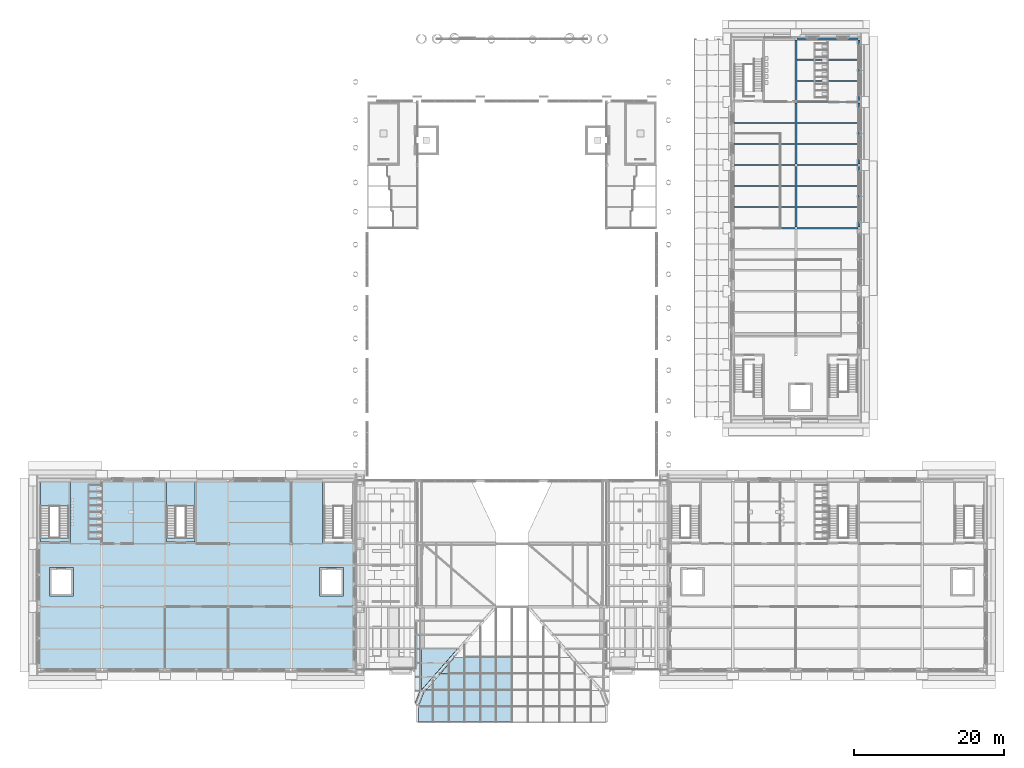
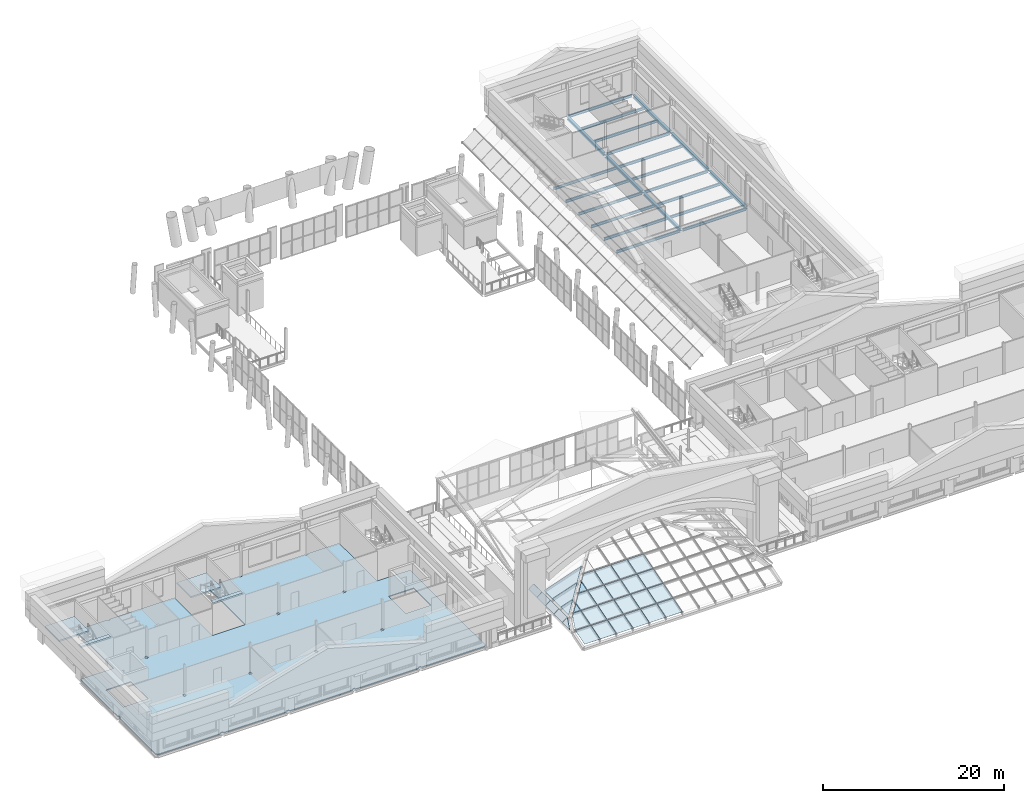
# One storey, part 33 of 76: 23 plates, 22 beams, 13 slabs, 2 elements without a shape of their own.
"""IFC4 building model written with IfcOpenShell, lengths in metres."""

import ifcopenshell
import ifcopenshell.guid

model = None  # the IFC model being written
_history = None  # IfcOwnerHistory: only IFC2X3 demands one
_inside = {}  # id of a spatial element -> (the spatial element, [elements in it])
_under = {}  # id of a project, library or spatial element -> (it, [spatial elements below it])
_declared = {}  # id of a project -> (the project, [libraries it declares])
_typed = {}  # id of a type object -> (the type object, [elements of that type])
_made_of = {}  # id of a material, layer set ... -> (it, [elements and type objects made of it])


def new_model(schema):
    """Start an empty IFC model of exactly this schema.

    Asked for "IFC4X3", IfcOpenShell would pick the latest addendum, in which some entities
    have other attributes; the version numbers below select the first issue.
    IFC2X3 requires an IfcOwnerHistory on every rooted entity: one is made here for all.
    """
    global model, _history
    if schema == "IFC4X3":
        model = ifcopenshell.file(schema_version=(4, 3, 0, 0))
    else:
        model = ifcopenshell.file(schema=schema)
    _inside.clear()
    _under.clear()
    _declared.clear()
    _typed.clear()
    _made_of.clear()
    _history = None
    if model.schema == "IFC2X3":
        org = make("IfcOrganization", Name="unknown")
        user = make(
            "IfcPersonAndOrganization",
            ThePerson=make("IfcPerson", FamilyName="unknown"),
            TheOrganization=org,
        )
        app = make(
            "IfcApplication",
            ApplicationDeveloper=org,
            Version="unknown",
            ApplicationFullName="unknown",
            ApplicationIdentifier="unknown",
        )
        _history = make(
            "IfcOwnerHistory",
            OwningUser=user,
            OwningApplication=app,
            ChangeAction="ADDED",
            CreationDate=0,
        )
    return model


def make(cls, **values):
    """One entity of the class cls with the attributes given. An attribute that is None is left unset."""
    return model.create_entity(
        cls, **{name: value for name, value in values.items() if value is not None}
    )


def rooted(cls, **values):
    """An entity with a GlobalId (a new one), such as an element, a storey or a relation."""
    return make(cls, GlobalId=ifcopenshell.guid.new(), OwnerHistory=_history, **values)


def si_unit(unit_type, name, prefix=None):
    """IfcSIUnit, for example si_unit("LENGTHUNIT", "METRE", prefix="MILLI")."""
    return make("IfcSIUnit", UnitType=unit_type, Prefix=prefix, Name=name)


def assignment(units):
    """IfcUnitAssignment: the units of a project."""
    return None if units is None else make("IfcUnitAssignment", Units=units)


def point(xyz):
    """IfcCartesianPoint."""
    return None if xyz is None else make("IfcCartesianPoint", Coordinates=xyz)


def direction(xyz):
    """IfcDirection."""
    return None if xyz is None else make("IfcDirection", DirectionRatios=xyz)


def frame(location, z_axis=None, x_axis=None):
    """IfcAxis2Placement3D, a coordinate frame: its origin and axes. An axis left out is left unset."""
    return make(
        "IfcAxis2Placement3D",
        Location=point(location),
        Axis=direction(z_axis),
        RefDirection=direction(x_axis),
    )


def frame_2d(location, x_axis=None):
    """IfcAxis2Placement2D, a coordinate frame in the plane: its origin and x axis."""
    return make(
        "IfcAxis2Placement2D", Location=point(location), RefDirection=direction(x_axis)
    )


def origin():
    """The frame at (0, 0, 0) with its axes left unset."""
    return frame((0.0, 0.0, 0.0))


def origin_2d():
    """The frame at (0, 0) in the plane with its x axis left unset."""
    return frame_2d((0.0, 0.0))


def place(relative_to, where):
    """IfcLocalPlacement: puts the frame where relative to a parent placement (None: the world)."""
    return make(
        "IfcLocalPlacement", PlacementRelTo=relative_to, RelativePlacement=where
    )


def context(
    kind, dimensions, precision=None, world=None, true_north=None, identifier=None
):
    """IfcGeometricRepresentationContext, for example the 3D "Model" context."""
    return make(
        "IfcGeometricRepresentationContext",
        ContextIdentifier=identifier,
        ContextType=kind,
        CoordinateSpaceDimension=dimensions,
        Precision=precision,
        WorldCoordinateSystem=world,
        TrueNorth=true_north,
    )


def subcontext(parent, identifier, kind, view, scale=None):
    """IfcGeometricRepresentationSubContext, for example "Body" below "Model"."""
    return make(
        "IfcGeometricRepresentationSubContext",
        ContextIdentifier=identifier,
        ContextType=kind,
        ParentContext=parent,
        TargetScale=scale,
        TargetView=view,
    )


def project(units=None, contexts=None):
    """IfcProject with its units and contexts."""
    return rooted(
        "IfcProject",
        Name="project",
        RepresentationContexts=contexts,
        UnitsInContext=assignment(units),
    )


def spatial(cls, under=None, at=None, **own):
    """A site, building, storey or space (cls), placed at a placement, below another one or the project."""
    s = rooted(cls, ObjectPlacement=at, **own)
    if under is not None:
        _under.setdefault(under.id(), (under, []))[1].append(s)
    return s


def polyline(points):
    """IfcPolyline through the points."""
    return make("IfcPolyline", Points=[point(p) for p in points])


def profile(cls, at=None, kind="AREA", **sizes):
    """A parametric profile (cls). Its sizes go by their IFC names, for example OverallWidth=200.0."""
    return make(cls, ProfileType=kind, Position=at, **sizes)


def i_section(**sizes):
    """IfcIShapeProfileDef."""
    return profile("IfcIShapeProfileDef", **sizes)


def outline(outer, holes=None, kind="AREA"):
    """IfcArbitraryClosedProfileDef: a profile drawn as a closed curve; with holes, ...WithVoids."""
    if holes is None:
        return make("IfcArbitraryClosedProfileDef", ProfileType=kind, OuterCurve=outer)
    return make(
        "IfcArbitraryProfileDefWithVoids",
        ProfileType=kind,
        OuterCurve=outer,
        InnerCurves=holes,
    )


def extrude(swept, where, along, depth):
    """IfcExtrudedAreaSolid: the profile swept, set in the frame where, extruded along a direction by depth."""
    return make(
        "IfcExtrudedAreaSolid",
        SweptArea=swept,
        Position=where,
        ExtrudedDirection=direction(along),
        Depth=depth,
    )


def shape(context_of_items, identifier, shape_type, items):
    """IfcShapeRepresentation: the items that make up one representation, for example the "Body"."""
    return make(
        "IfcShapeRepresentation",
        ContextOfItems=context_of_items,
        RepresentationIdentifier=identifier,
        RepresentationType=shape_type,
        Items=items,
    )


def material(Name=None, Category=None):
    """IfcMaterial."""
    return make("IfcMaterial", Name=Name, Category=Category)


def layer(
    of_material, thickness, ventilated=None, Name=None, Category=None, Priority=None
):
    """IfcMaterialLayer: one layer of a wall or slab, of a material (None: an air gap)."""
    return make(
        "IfcMaterialLayer",
        Material=of_material,
        LayerThickness=thickness,
        IsVentilated=ventilated,
        Name=Name,
        Category=Category,
        Priority=Priority,
    )


def layer_set(layers, Name=None):
    """IfcMaterialLayerSet."""
    return make("IfcMaterialLayerSet", MaterialLayers=layers, LayerSetName=Name)


def material_profile(
    of_material, cross_section, Name=None, Category=None, Priority=None
):
    """IfcMaterialProfile: a cross section and its material."""
    return make(
        "IfcMaterialProfile",
        Name=Name,
        Material=of_material,
        Profile=cross_section,
        Priority=Priority,
        Category=Category,
    )


def profile_set(profiles, Name=None, composite=None):
    """IfcMaterialProfileSet."""
    return make(
        "IfcMaterialProfileSet",
        Name=Name,
        MaterialProfiles=profiles,
        CompositeProfile=composite,
    )


def made_of(thing, what):
    """Note that an element or type object is made of a material, layer set ...; save() writes the relation."""
    if what is not None:
        _made_of.setdefault(what.id(), (what, []))[1].append(thing)
    return thing


def type_object(cls, material=None, **own):
    """A type object (cls), such as IfcWallType, which elements share."""
    return made_of(rooted(cls, **own), material)


def element(
    cls,
    number,
    at=None,
    inside=None,
    cuts=None,
    type_object=None,
    material=None,
    context=None,
    identifier="Body",
    shape_type=None,
    held_by="IfcProductDefinitionShape",
    body=None,
    shapes=None,
    **own,
):
    """One element of the class cls, such as IfcWall. Its Tag is "e" and its number.

    at: its placement. inside: the storey or other place that contains it. cuts: it is an
    opening in that element (IfcRelVoidsElement). A single representation is given by context,
    identifier, shape_type and body (its items); several are given by shapes. held_by: the class
    of the entity that holds the representations. save() writes the other relations.
    """
    e = rooted(cls, Tag="e%d" % number, ObjectPlacement=at, **own)
    if body is not None:
        shapes = [shape(context, identifier, shape_type, body)]
    if shapes is not None:
        e.Representation = make(held_by, Representations=shapes)
    if inside is not None:
        _inside.setdefault(inside.id(), (inside, []))[1].append(e)
    if cuts is not None:
        rooted(
            "IfcRelVoidsElement", RelatingBuildingElement=cuts, RelatedOpeningElement=e
        )
    if type_object is not None:
        _typed.setdefault(type_object.id(), (type_object, []))[1].append(e)
    return made_of(e, material)


def aggregate(whole, parts):
    """IfcRelAggregates: a whole, such as a stair, and the parts it consists of."""
    return rooted("IfcRelAggregates", RelatingObject=whole, RelatedObjects=parts)


def save(model, path):
    """Write the relations noted so far, then the file.

    IfcRelAggregates (storeys below a building ...), IfcRelContainedInSpatialStructure (elements
    in a storey), IfcRelDefinesByType, IfcRelAssociatesMaterial and IfcRelDeclares: one each for
    every whole, place, type object, material and project.
    """
    for whole, parts in _under.values():
        aggregate(whole, parts)
    for where, things in _inside.values():
        rooted(
            "IfcRelContainedInSpatialStructure",
            RelatedElements=things,
            RelatingStructure=where,
        )
    for kind, things in _typed.values():
        rooted("IfcRelDefinesByType", RelatedObjects=things, RelatingType=kind)
    for what, things in _made_of.values():
        rooted("IfcRelAssociatesMaterial", RelatedObjects=things, RelatingMaterial=what)
    for by, libraries in _declared.values():
        rooted("IfcRelDeclares", RelatingContext=by, RelatedDefinitions=libraries)
    model.write(path)


model = new_model("IFC4")

# Units and contexts
model_context = context("Model", 3, precision=1e-05, world=origin(), true_north=direction((0.0, 1.0)))
body_context = subcontext(model_context, "Body", "Model", "MODEL_VIEW")
ifc_project = project(units=[si_unit("LENGTHUNIT", "METRE"), si_unit("AREAUNIT", "SQUARE_METRE"), si_unit("VOLUMEUNIT", "CUBIC_METRE"), si_unit("PLANEANGLEUNIT", "RADIAN"), si_unit("MASSUNIT", "GRAM", prefix="KILO")], contexts=[model_context])

# Site, building, storey
site_placement = place(None, origin())
site = spatial("IfcSite", under=ifc_project, at=site_placement, CompositionType="ELEMENT")
building_placement = place(site_placement, origin())
building = spatial("IfcBuilding", under=site, at=building_placement, Name="Sava Quay Ferry Terminal", CompositionType="ELEMENT")
storey_placement = place(building_placement, frame((0.0, 0.0, 10.800048828125)))
storey = spatial("IfcBuildingStorey", under=building, at=storey_placement, Name="L02", CompositionType="ELEMENT", Elevation=10.800048828125)

# Beams
ifc_material_1 = material(Name="Steel S355", Category="steel")
ifc_material_profile_1 = material_profile(ifc_material_1, i_section(OverallWidth=0.169921875, OverallDepth=0.360107421875, WebThickness=0.008056640625, FlangeThickness=0.0126953125, at=origin_2d()), Name="IPE 360")
ifc_profile_set_1 = profile_set([ifc_material_profile_1], Name="Steel S355")
beam_type_1 = type_object("IfcBeamType", Name="Beam IPE 360", PredefinedType="BEAM", material=ifc_profile_set_1)
beam_1_placement = place(storey_placement, frame((92.550048828125, 84.0, -0.31005859375), z_axis=(1.0, 0.0, 0.0), x_axis=(0.0, 1.0, 0.0)))
element("IfcBeam", 1, at=beam_1_placement, inside=storey, type_object=beam_type_1, Name="Beam L02", PredefinedType="BEAM", context=body_context, shape_type="SweptSolid", body=[
    extrude(i_section(OverallWidth=0.169921875, OverallDepth=0.360107421875, WebThickness=0.008056640625, FlangeThickness=0.0126953125, at=origin_2d()), origin(), (0.0, 0.0, 1.0), 8.099853515625),
])
beam_2_placement = place(storey_placement, frame((100.949951171875, 84.0, -0.31005859375), z_axis=(1.0, 0.0, 0.0), x_axis=(0.0, 1.0, 0.0)))
element("IfcBeam", 2, at=beam_2_placement, inside=storey, type_object=beam_type_1, Name="Beam L02", PredefinedType="BEAM", context=body_context, shape_type="SweptSolid", body=[
    extrude(i_section(OverallWidth=0.169921875, OverallDepth=0.360107421875, WebThickness=0.008056640625, FlangeThickness=0.0126953125, at=origin_2d()), origin(), (0.0, 0.0, 1.0), 8.10009765625),
])
beam_3_placement = place(storey_placement, frame((92.550048828125, 92.39990234375, -0.31005859375), z_axis=(1.0, 0.0, 0.0), x_axis=(0.0, 1.0, 0.0)))
element("IfcBeam", 3, at=beam_3_placement, inside=storey, type_object=beam_type_1, Name="Beam L02", PredefinedType="BEAM", context=body_context, shape_type="SweptSolid", body=[
    extrude(i_section(OverallWidth=0.169921875, OverallDepth=0.360107421875, WebThickness=0.008056640625, FlangeThickness=0.0126953125, at=origin_2d()), origin(), (0.0, 0.0, 1.0), 8.099853515625),
])
for number, where, z_axis, x_axis, name in (
    (4, (100.949951171875, 92.39990234375, -0.31005859375), (1.0, 0.0, 0.0), (0.0, 1.0, 0.0), "Beam L02"),
    (5, (100.949951171875, 100.800048828125, -0.31005859375), (1.0, 0.0, 0.0), (0.0, 1.0, 0.0), "Beam L02"),
    (6, (100.949951171875, 109.199951171875, -0.31005859375), (1.0, 0.0, 0.0), (0.0, 1.0, 0.0), "Beam L02"),
):
    element("IfcBeam", number, at=place(storey_placement, frame(where, z_axis=z_axis, x_axis=x_axis)), inside=storey, type_object=beam_type_1, Name=name, PredefinedType="BEAM", context=body_context, shape_type="SweptSolid", body=[
        extrude(i_section(OverallWidth=0.169921875, OverallDepth=0.360107421875, WebThickness=0.008056640625, FlangeThickness=0.0126953125, at=origin_2d()), origin(), (0.0, 0.0, 1.0), 8.10009765625),
    ])
for number, where, z_axis, x_axis, name in (
    (7, (92.550048828125, 86.800048828125, -0.31005859375), (1.0, 0.0, 0.0), (0.0, 1.0, 0.0), "Secondary beam L02"),
    (8, (92.550048828125, 89.60009765625, -0.31005859375), (1.0, 0.0, 0.0), (0.0, 1.0, 0.0), "Secondary beam L02"),
):
    element("IfcBeam", number, at=place(storey_placement, frame(where, z_axis=z_axis, x_axis=x_axis)), inside=storey, type_object=beam_type_1, Name=name, PredefinedType="BEAM", context=body_context, shape_type="SweptSolid", body=[
        extrude(i_section(OverallWidth=0.169921875, OverallDepth=0.360107421875, WebThickness=0.008056640625, FlangeThickness=0.0126953125, at=origin_2d()), origin(), (0.0, 0.0, 1.0), 8.099853515625),
    ])
for number, where, z_axis, x_axis, name in (
    (9, (100.949951171875, 86.800048828125, -0.31005859375), (1.0, 0.0, 0.0), (0.0, 1.0, 0.0), "Secondary beam L02"),
    (10, (100.949951171875, 89.60009765625, -0.31005859375), (1.0, 0.0, 0.0), (0.0, 1.0, 0.0), "Secondary beam L02"),
):
    element("IfcBeam", number, at=place(storey_placement, frame(where, z_axis=z_axis, x_axis=x_axis)), inside=storey, type_object=beam_type_1, Name=name, PredefinedType="BEAM", context=body_context, shape_type="SweptSolid", body=[
        extrude(i_section(OverallWidth=0.169921875, OverallDepth=0.360107421875, WebThickness=0.008056640625, FlangeThickness=0.0126953125, at=origin_2d()), origin(), (0.0, 0.0, 1.0), 8.10009765625),
    ])
for number, where, z_axis, x_axis, name in (
    (11, (92.550048828125, 95.199951171875, -0.31005859375), (1.0, 0.0, 0.0), (0.0, 1.0, 0.0), "Secondary beam L02"),
    (12, (92.550048828125, 98.0, -0.31005859375), (1.0, 0.0, 0.0), (0.0, 1.0, 0.0), "Secondary beam L02"),
):
    element("IfcBeam", number, at=place(storey_placement, frame(where, z_axis=z_axis, x_axis=x_axis)), inside=storey, type_object=beam_type_1, Name=name, PredefinedType="BEAM", context=body_context, shape_type="SweptSolid", body=[
        extrude(i_section(OverallWidth=0.169921875, OverallDepth=0.360107421875, WebThickness=0.008056640625, FlangeThickness=0.0126953125, at=origin_2d()), origin(), (0.0, 0.0, 1.0), 8.099853515625),
    ])
for number, where, z_axis, x_axis, name in (
    (13, (100.949951171875, 95.199951171875, -0.31005859375), (1.0, 0.0, 0.0), (0.0, 1.0, 0.0), "Secondary beam L02"),
    (14, (100.949951171875, 98.0, -0.31005859375), (1.0, 0.0, 0.0), (0.0, 1.0, 0.0), "Secondary beam L02"),
    (15, (100.949951171875, 103.60009765625, -0.31005859375), (1.0, 0.0, 0.0), (0.0, 1.0, 0.0), "Secondary beam L02"),
    (16, (100.949951171875, 106.39990234375, -0.31005859375), (1.0, 0.0, 0.0), (0.0, 1.0, 0.0), "Secondary beam L02"),
):
    element("IfcBeam", number, at=place(storey_placement, frame(where, z_axis=z_axis, x_axis=x_axis)), inside=storey, type_object=beam_type_1, Name=name, PredefinedType="BEAM", context=body_context, shape_type="SweptSolid", body=[
        extrude(i_section(OverallWidth=0.169921875, OverallDepth=0.360107421875, WebThickness=0.008056640625, FlangeThickness=0.0126953125, at=origin_2d()), origin(), (0.0, 0.0, 1.0), 8.10009765625),
    ])
ifc_material_2 = material(Name="Steel S355", Category="steel")
ifc_material_profile_2 = material_profile(ifc_material_2, i_section(OverallWidth=0.300048828125, OverallDepth=0.389892578125, WebThickness=0.010986328125, FlangeThickness=0.01904296875, at=origin_2d()), Name="HE 400 A")
ifc_profile_set_2 = profile_set([ifc_material_profile_2], Name="Steel S355")
beam_type_2 = type_object("IfcBeamType", Name="Girder HE 400 A", PredefinedType="BEAM", material=ifc_profile_set_2)
beam_4_placement = place(storey_placement, frame((100.800048828125, 84.14990234375, -0.324951171875), z_axis=(0.0, 1.0, 0.0), x_axis=(-1.0, 0.0, 0.0)))
element("IfcBeam", 17, at=beam_4_placement, inside=storey, type_object=beam_type_2, Name="Girder L02", PredefinedType="BEAM", context=body_context, shape_type="SweptSolid", body=[
    extrude(i_section(OverallWidth=0.300048828125, OverallDepth=0.389892578125, WebThickness=0.010986328125, FlangeThickness=0.01904296875, at=origin_2d()), origin(), (0.0, 0.0, 1.0), 8.10009765625),
])
beam_5_placement = place(storey_placement, frame((100.800048828125, 92.550048828125, -0.324951171875), z_axis=(0.0, 1.0, 0.0), x_axis=(-1.0, 0.0, 0.0)))
element("IfcBeam", 18, at=beam_5_placement, inside=storey, type_object=beam_type_2, Name="Girder L02", PredefinedType="BEAM", context=body_context, shape_type="SweptSolid", body=[
    extrude(i_section(OverallWidth=0.300048828125, OverallDepth=0.389892578125, WebThickness=0.010986328125, FlangeThickness=0.01904296875, at=origin_2d()), origin(), (0.0, 0.0, 1.0), 8.099853515625),
])
for number, where, z_axis, x_axis, name in (
    (19, (100.800048828125, 100.949951171875, -0.324951171875), (0.0, 1.0, 0.0), (-1.0, 0.0, 0.0), "Girder L02"),
    (20, (109.199951171875, 84.14990234375, -0.324951171875), (0.0, 1.0, 0.0), (-1.0, 0.0, 0.0), "Girder L02"),
):
    element("IfcBeam", number, at=place(storey_placement, frame(where, z_axis=z_axis, x_axis=x_axis)), inside=storey, type_object=beam_type_2, Name=name, PredefinedType="BEAM", context=body_context, shape_type="SweptSolid", body=[
        extrude(i_section(OverallWidth=0.300048828125, OverallDepth=0.389892578125, WebThickness=0.010986328125, FlangeThickness=0.01904296875, at=origin_2d()), origin(), (0.0, 0.0, 1.0), 8.10009765625),
    ])
beam_6_placement = place(storey_placement, frame((109.199951171875, 92.550048828125, -0.324951171875), z_axis=(0.0, 1.0, 0.0), x_axis=(-1.0, 0.0, 0.0)))
element("IfcBeam", 21, at=beam_6_placement, inside=storey, type_object=beam_type_2, Name="Girder L02", PredefinedType="BEAM", context=body_context, shape_type="SweptSolid", body=[
    extrude(i_section(OverallWidth=0.300048828125, OverallDepth=0.389892578125, WebThickness=0.010986328125, FlangeThickness=0.01904296875, at=origin_2d()), origin(), (0.0, 0.0, 1.0), 8.099853515625),
])
beam_7_placement = place(storey_placement, frame((109.199951171875, 100.949951171875, -0.324951171875), z_axis=(0.0, 1.0, 0.0), x_axis=(-1.0, 0.0, 0.0)))
element("IfcBeam", 22, at=beam_7_placement, inside=storey, type_object=beam_type_2, Name="Girder L02", PredefinedType="BEAM", context=body_context, shape_type="SweptSolid", body=[
    extrude(i_section(OverallWidth=0.300048828125, OverallDepth=0.389892578125, WebThickness=0.010986328125, FlangeThickness=0.01904296875, at=origin_2d()), origin(), (0.0, 0.0, 1.0), 8.10009765625),
])

# Slabs
ifc_material_3 = material(Name="Concrete C30/37", Category="concrete")
ifc_layer_1 = layer(ifc_material_3, 0.1298828125)
ifc_layer_set_1 = layer_set([ifc_layer_1], Name="Concrete C30/37")
slab_type_1 = type_object("IfcSlabType", Name="Composite floor slab 130", PredefinedType="FLOOR", material=ifc_layer_set_1)
slab_1_placement = place(storey_placement, frame((0.0, 0.0, -0.130126953125)))
element("IfcSlab", 23, at=slab_1_placement, inside=storey, type_object=slab_type_1, Name="W floor slab L02", PredefinedType="FLOOR", context=body_context, shape_type="SweptSolid", body=[
    extrude(outline(polyline([(41.860107421875, 25.340087890625), (41.860107421875, 25.199951171875), (33.760009765625, 25.199951171875), (33.760009765625, 25.360107421875), (33.43994140625, 25.360107421875), (33.43994140625, 25.199951171875), (25.360107421875, 25.199951171875), (25.360107421875, 25.360107421875), (25.0400390625, 25.360107421875), (25.0400390625, 25.199951171875), (16.9599609375, 25.199951171875), (16.9599609375, 25.360107421875), (16.639892578125, 25.360107421875), (16.639892578125, 25.199951171875), (8.56005859375, 25.199951171875), (8.56005859375, 25.360107421875), (8.239990234375, 25.360107421875), (8.239990234375, 25.199951171875), (0.159912109375, 25.199951171875), (0.159912109375, 25.360107421875), (0.0, 25.360107421875), (0.0, 33.43994140625), (0.159912109375, 33.43994140625), (0.159912109375, 33.760009765625), (0.0, 33.760009765625), (0.0, 42.0), (4.199951171875, 42.0), (4.199951171875, 50.39990234375), (8.239990234375, 50.39990234375), (8.239990234375, 50.239990234375), (8.56005859375, 50.239990234375), (8.56005859375, 50.39990234375), (16.800048828125, 50.39990234375), (16.800048828125, 42.0), (21.0, 42.0), (21.0, 50.39990234375), (25.0400390625, 50.39990234375), (25.0400390625, 50.239990234375), (25.360107421875, 50.239990234375), (25.360107421875, 50.39990234375), (33.43994140625, 50.39990234375), (33.43994140625, 50.239990234375), (33.760009765625, 50.239990234375), (33.760009765625, 50.39990234375), (37.800048828125, 50.39990234375), (37.800048828125, 42.0), (42.0, 42.0), (42.0, 33.739990234375), (41.860107421875, 33.739990234375), (41.860107421875, 33.4599609375), (42.0, 33.4599609375), (42.0, 25.340087890625), (41.860107421875, 25.340087890625)]), holes=[polyline([(25.360107421875, 33.43994140625), (25.360107421875, 33.760009765625), (25.0400390625, 33.760009765625), (25.0400390625, 33.43994140625), (25.360107421875, 33.43994140625)]), polyline([(33.43994140625, 33.43994140625), (33.760009765625, 33.43994140625), (33.760009765625, 33.760009765625), (33.43994140625, 33.760009765625), (33.43994140625, 33.43994140625)]), polyline([(16.639892578125, 33.43994140625), (16.9599609375, 33.43994140625), (16.9599609375, 33.760009765625), (16.639892578125, 33.760009765625), (16.639892578125, 33.43994140625)]), polyline([(8.239990234375, 33.43994140625), (8.56005859375, 33.43994140625), (8.56005859375, 33.760009765625), (8.239990234375, 33.760009765625), (8.239990234375, 33.43994140625)]), polyline([(40.60009765625, 35.0), (40.60009765625, 38.800048828125), (37.39990234375, 38.800048828125), (37.39990234375, 35.0), (40.60009765625, 35.0)]), polyline([(1.39990234375, 35.0), (4.60009765625, 35.0), (4.60009765625, 38.800048828125), (1.39990234375, 38.800048828125), (1.39990234375, 35.0)]), polyline([(25.0400390625, 41.840087890625), (25.360107421875, 41.840087890625), (25.360107421875, 42.159912109375), (25.0400390625, 42.159912109375), (25.0400390625, 41.840087890625)]), polyline([(8.56005859375, 41.840087890625), (8.56005859375, 42.159912109375), (8.239990234375, 42.159912109375), (8.239990234375, 41.840087890625), (8.56005859375, 41.840087890625)]), polyline([(33.43994140625, 41.840087890625), (33.760009765625, 41.840087890625), (33.760009765625, 42.159912109375), (33.43994140625, 42.159912109375), (33.43994140625, 41.840087890625)])]), origin(), (0.0, 0.0, 1.0), 0.130126953125),
])
ifc_material_4 = material(Name="Cross laminated timber C24", Category="wood")
ifc_layer_2 = layer(ifc_material_4, 0.10009765625)
ifc_layer_set_2 = layer_set([ifc_layer_2], Name="Cross laminated timber C24")
slab_type_2 = type_object("IfcSlabType", Name="Roof deck CLT 100", PredefinedType="ROOF", material=ifc_layer_set_2)
slab_2_placement = place(storey_placement, frame((50.071044921875, 29.851318359375, 1.96826171875), z_axis=(-0.615718573697, 0.0, 0.787966140139), x_axis=(0.787966140139, 0.0, 0.615718573697)))
element("IfcSlab", 24, at=slab_2_placement, inside=storey, type_object=slab_type_2, Name="Arrivals hall stern roof deck AS-F0", PredefinedType="ROOF", context=body_context, shape_type="SweptSolid", body=[
    extrude(outline(polyline([(0.0, 0.0), (0.8263337898763504, 0.0), (0.8263337898763504, -1.8491210937499996), (0.0, -1.8491210937499996), (0.0, 0.0)])), origin(), (0.0, 0.0, -1.0), 0.10009765625),
])
slab_3_placement = place(storey_placement, frame((50.071044921875, 27.982177734375, 1.96826171875), z_axis=(-0.615718573697, 0.0, 0.787966140139), x_axis=(0.787966140139, 0.0, 0.615718573697)))
element("IfcSlab", 25, at=slab_3_placement, inside=storey, type_object=slab_type_2, Name="Arrivals hall stern roof deck AS-F0", PredefinedType="ROOF", context=body_context, shape_type="SweptSolid", body=[
    extrude(outline(polyline([(0.0, 0.0), (0.8263337898763504, 0.0), (0.8263337898763504, -1.849365234375), (0.0, -1.849365234375), (0.0, 0.0)])), origin(), (0.0, 0.0, -1.0), 0.10009765625),
])
slab_4_placement = place(storey_placement, frame((50.071044921875, 26.11279296875, 1.96826171875), z_axis=(-0.615718573697, 0.0, 0.787966140139), x_axis=(0.787966140139, 0.0, 0.615718573697)))
element("IfcSlab", 26, at=slab_4_placement, inside=storey, type_object=slab_type_2, Name="Arrivals hall stern roof deck AS-F0", PredefinedType="ROOF", context=body_context, shape_type="SweptSolid", body=[
    extrude(outline(polyline([(0.0, 0.0), (0.8263337898763504, 0.0), (0.8263337898763504, -1.8491210937499996), (0.0, -1.8491210937499996), (0.0, 0.0)])), origin(), (0.0, 0.0, -1.0), 0.10009765625),
])
slab_5_placement = place(storey_placement, frame((50.7109375, 22.394287109375, 2.468505859375), z_axis=(-0.615719934076, 4.9131308e-05, 0.787965075602), x_axis=(-0.787965076552, 1.0906e-08, -0.615719934819)))
element("IfcSlab", 27, at=slab_5_placement, inside=storey, type_object=slab_type_2, Name="Arrivals hall stern roof deck AS-F0", PredefinedType="ROOF", context=body_context, shape_type="SweptSolid", body=[
    extrude(outline(polyline([(0.0, 0.0), (0.8122232939668943, 0.0), (0.8122233141362412, -1.849365232142922), (-0.01411047573887649, -1.849365241225124), (-0.014110495591371537, -0.029052743422137085), (0.0, 0.0)])), origin(), (0.0, 0.0, -1.0), 0.10009765625),
])
slab_6_placement = place(storey_placement, frame((50.071044921875, 20.731201171875, 1.96826171875), z_axis=(-0.615897929488, 0.0, 0.787825958224), x_axis=(0.0, 1.0, 0.0)))
element("IfcSlab", 28, at=slab_6_placement, inside=storey, type_object=slab_type_2, Name="Arrivals hall stern roof deck AS-F0", PredefinedType="ROOF", context=body_context, shape_type="SweptSolid", body=[
    extrude(outline(polyline([(0.0, 0.0), (1.64306640625, 0.0), (1.64306640625, -0.8023092810368684), (0.0, 0.0)])), origin(), (0.0, 0.0, -1.0), 0.10009765625),
])
slab_7_placement = place(storey_placement, frame((54.13623046875, 26.151123046875, 3.704345703125), z_axis=(-0.325570192259, -6.913776e-06, 0.9455178739), x_axis=(-0.945517873923, 2.6e-11, -0.325570192266)))
element("IfcSlab", 29, at=slab_7_placement, inside=storey, type_object=slab_type_2, Name="Arrivals hall stern roof deck AS-F1", PredefinedType="ROOF", context=body_context, shape_type="SweptSolid", body=[
    extrude(outline(polyline([(0.0, 0.0), (3.335531276986462, 0.0), (3.335531277035229, -1.8447265624559108), (-1.7036675802667454, -1.8447265626773062), (0.0, 0.0)])), origin(), (0.0, 0.0, -1.0), 0.10009765625),
])
slab_8_placement = place(storey_placement, frame((52.5078125, 24.286376953125, 3.143798828125), z_axis=(-0.32563050938, 2.2543938e-05, 0.945497102509), x_axis=(-0.945497102749, 5.81e-10, -0.325630509463)))
element("IfcSlab", 30, at=slab_8_placement, inside=storey, type_object=slab_type_2, Name="Arrivals hall stern roof deck AS-F1", PredefinedType="ROOF", context=body_context, shape_type="SweptSolid", body=[
    extrude(outline(polyline([(0.0, 0.0), (1.6133356333839122, 1.6940658945086007e-21), (1.6133356344559222, -1.8447265620312279), (-1.7036675774041217, -1.8447265648963531), (0.0, 0.0)])), origin(), (0.0, 0.0, -1.0), 0.10009765625),
])
slab_9_placement = place(storey_placement, frame((50.982421875, 22.53955078125, 2.618408203125), z_axis=(-0.325580242369, 0.0, 0.945514413311), x_axis=(0.0, 1.0, 0.0)))
element("IfcSlab", 31, at=slab_9_placement, inside=storey, type_object=slab_type_2, Name="Arrivals hall stern roof deck AS-F1", PredefinedType="ROOF", context=body_context, shape_type="SweptSolid", body=[
    extrude(outline(polyline([(0.0, 0.0), (1.72705078125, 0.0), (1.72705078125, -1.5949589127297932), (0.0, 0.0)])), origin(), (0.0, 0.0, -1.0), 0.10009765625),
])

# Plates
ifc_material_5 = material(Name="Laminated glass", Category="glass")
ifc_layer_3 = layer(ifc_material_5, 0.0400390625)
ifc_layer_set_3 = layer_set([ifc_layer_3], Name="Laminated glass")
plate_type = type_object("IfcPlateType", Name="Skylight glass 40", PredefinedType="SHEET", material=ifc_layer_set_3)
plate_1_placement = place(storey_placement, frame((52.47998046875, 20.294189453125, 2.024658203125), z_axis=(0.0, -0.287968833292, 0.957639781469), x_axis=(0.0, -0.957639781469, -0.287968833292)))
element("IfcPlate", 32, at=plate_1_placement, inside=storey, type_object=plate_type, Name="Arrivals hall stern glass AS-E-K0.0", PredefinedType="SHEET", context=body_context, shape_type="SweptSolid", body=[
    extrude(outline(polyline([(0.0, 0.0), (2.1279836492887267, 0.0), (2.1279836492887267, -1.94580078125), (0.0, -1.94580078125), (0.0, 0.0)])), origin(), (0.0, 0.0, -1.0), 0.0400390625),
])
plate_2_placement = place(storey_placement, frame((52.47998046875, 22.47998046875, 2.681640625), z_axis=(4.9378841e-05, -0.287887823465, 0.957664136669), x_axis=(-1.061e-09, -0.957664137837, -0.287887823816)))
element("IfcPlate", 33, at=plate_2_placement, inside=storey, type_object=plate_type, Name="Arrivals hall stern glass AS-E-K0.1", PredefinedType="SHEET", context=body_context, shape_type="SweptSolid", body=[
    extrude(outline(polyline([(0.0, 0.0), (2.2423801666457557, 0.0), (2.242380168704444, -1.9406738257590568), (0.31938451948684093, -1.232177740270271), (1.0237759765095204e-09, -0.9650878894484277), (0.0, 0.0)])), origin(), (0.0, 0.0, -1.0), 0.0400390625),
])
plate_3_placement = place(storey_placement, frame((52.47998046875, 22.518310546875, 2.693359375), z_axis=(0.0, -0.287810385435, 0.957687413531), x_axis=(-1.0, 0.0, 0.0)))
element("IfcPlate", 34, at=plate_3_placement, inside=storey, type_object=plate_type, Name="Arrivals hall stern glass AS-E-K0.2", PredefinedType="SHEET", context=body_context, shape_type="SweptSolid", body=[
    extrude(outline(polyline([(0.0, 0.0), (0.931640625, 0.0), (0.0, -1.1137771840315505), (0.0, 0.0)])), origin(), (0.0, 0.0, -1.0), 0.0400390625),
])
plate_4_placement = place(storey_placement, frame((52.52001953125, 20.294189453125, 2.024658203125), z_axis=(0.0, -0.287968833292, 0.957639781469), x_axis=(1.0, 0.0, 0.0)))
element("IfcPlate", 35, at=plate_4_placement, inside=storey, type_object=plate_type, Name="Arrivals hall stern glass AS-E-K1.0", PredefinedType="SHEET", context=body_context, shape_type="SweptSolid", body=[
    extrude(outline(polyline([(0.0, 0.0), (2.06005859375, 0.0), (2.06005859375, -2.1279836492887267), (0.0, -2.1279836492887267), (0.0, 0.0)])), origin(), (0.0, 0.0, -1.0), 0.0400390625),
])
plate_5_placement = place(storey_placement, frame((52.52001953125, 20.33251953125, 2.0361328125), z_axis=(0.0, -0.287867250145, 0.957670322342), x_axis=(0.0, 0.957670322342, 0.287867250145)))
element("IfcPlate", 36, at=plate_5_placement, inside=storey, type_object=plate_type, Name="Arrivals hall stern glass AS-E-K1.1", PredefinedType="SHEET", context=body_context, shape_type="SweptSolid", body=[
    extrude(outline(polyline([(0.0, 0.0), (2.242380167163212, 0.0), (2.242380167163212, -2.0600585937499996), (0.0, -2.0600585937499996), (0.0, 0.0)])), origin(), (0.0, 0.0, -1.0), 0.0400390625),
])
plate_6_placement = place(storey_placement, frame((54.580078125, 24.665771484375, 3.3388671875), z_axis=(1.3071637e-05, -0.287872294358, 0.957668805992), x_axis=(-6.9e-11, -0.957668806074, -0.287872294383)))
element("IfcPlate", 37, at=plate_6_placement, inside=storey, type_object=plate_type, Name="Arrivals hall stern glass AS-E-K1.2", PredefinedType="SHEET", context=body_context, shape_type="SweptSolid", body=[
    extrude(outline(polyline([(0.0, 0.0), (2.242380167132106, 1.6940658945086007e-21), (2.242380167273943, -2.0600585935740012), (1.0806414483816924, -2.0600585942035927), (7.962570697232788e-11, -1.1564941405261964), (0.0, 0.0)])), origin(), (0.0, 0.0, -1.0), 0.0400390625),
])
plate_7_placement = place(storey_placement, frame((54.580078125, 24.703857421875, 3.3505859375), z_axis=(0.0, -0.28783160793, 0.957681035354), x_axis=(-1.0, 0.0, 0.0)))
element("IfcPlate", 38, at=plate_7_placement, inside=storey, type_object=plate_type, Name="Arrivals hall stern glass AS-E-K1.3", PredefinedType="SHEET", context=body_context, shape_type="SweptSolid", body=[
    extrude(outline(polyline([(0.0, 0.0), (1.123046875, 0.0), (0.0, -1.3427108028715677), (0.0, 0.0)])), origin(), (0.0, 0.0, -1.0), 0.0400390625),
])
plate_8_placement = place(storey_placement, frame((54.6201171875, 20.294189453125, 2.024658203125), z_axis=(0.0, -0.287968833292, 0.957639781469), x_axis=(1.0, 0.0, 0.0)))
element("IfcPlate", 39, at=plate_8_placement, inside=storey, type_object=plate_type, Name="Arrivals hall stern glass AS-E-K2.0", PredefinedType="SHEET", context=body_context, shape_type="SweptSolid", body=[
    extrude(outline(polyline([(0.0, 0.0), (2.059814453125, 0.0), (2.059814453125, -2.1279836492887267), (0.0, -2.1279836492887267), (0.0, 0.0)])), origin(), (0.0, 0.0, -1.0), 0.0400390625),
])
for number, where, z_axis, x_axis, name in (
    (40, (54.6201171875, 20.33251953125, 2.0361328125), (0.0, -0.287867250145, 0.957670322342), (0.0, 0.957670322342, 0.287867250145), "Arrivals hall stern glass AS-E-K2.1"),
    (41, (54.6201171875, 22.518310546875, 2.693359375), (0.0, -0.287867250145, 0.957670322342), (0.0, 0.957670322342, 0.287867250145), "Arrivals hall stern glass AS-E-K2.2"),
):
    element("IfcPlate", number, at=place(storey_placement, frame(where, z_axis=z_axis, x_axis=x_axis)), inside=storey, type_object=plate_type, Name=name, PredefinedType="SHEET", context=body_context, shape_type="SweptSolid", body=[
        extrude(outline(polyline([(0.0, 0.0), (2.242380167163212, 0.0), (2.242380167163212, -2.059814453125), (0.0, -2.059814453125), (0.0, 0.0)])), origin(), (0.0, 0.0, -1.0), 0.0400390625),
    ])
plate_9_placement = place(storey_placement, frame((56.679931640625, 26.851318359375, 3.99609375), z_axis=(1.6711795e-05, -0.28787233294, 0.957668794338), x_axis=(-8.9e-11, -0.957668794472, -0.28787233298)))
element("IfcPlate", 42, at=plate_9_placement, inside=storey, type_object=plate_type, Name="Arrivals hall stern glass AS-E-K2.3", PredefinedType="SHEET", context=body_context, shape_type="SweptSolid", body=[
    extrude(outline(polyline([(0.0, 0.0), (2.2423801671316284, 1.6940658945086007e-21), (2.2423801673143298, -2.0598144528373634), (0.851707828464311, -2.0598144539123657), (1.1953431258477338e-10, -1.3476562498118105), (0.0, 0.0)])), origin(), (0.0, 0.0, -1.0), 0.0400390625),
])
plate_10_placement = place(storey_placement, frame((56.719970703125, 20.294189453125, 2.024658203125), z_axis=(0.0, -0.287968833292, 0.957639781469), x_axis=(1.0, 0.0, 0.0)))
element("IfcPlate", 43, at=plate_10_placement, inside=storey, type_object=plate_type, Name="Arrivals hall stern glass AS-E-K3.0", PredefinedType="SHEET", context=body_context, shape_type="SweptSolid", body=[
    extrude(outline(polyline([(0.0, 0.0), (2.06005859375, 0.0), (2.06005859375, -2.1279836492887267), (0.0, -2.1279836492887267), (0.0, 0.0)])), origin(), (0.0, 0.0, -1.0), 0.0400390625),
])
for number, where, z_axis, x_axis, name in (
    (44, (56.719970703125, 20.33251953125, 2.0361328125), (0.0, -0.287867250145, 0.957670322342), (0.0, 0.957670322342, 0.287867250145), "Arrivals hall stern glass AS-E-K3.1"),
    (45, (56.719970703125, 22.518310546875, 2.693359375), (0.0, -0.287867250145, 0.957670322342), (0.0, 0.957670322342, 0.287867250145), "Arrivals hall stern glass AS-E-K3.2"),
    (46, (56.719970703125, 24.703857421875, 3.3505859375), (0.0, -0.287867250145, 0.957670322342), (0.0, 0.957670322342, 0.287867250145), "Arrivals hall stern glass AS-E-K3.3"),
):
    element("IfcPlate", number, at=place(storey_placement, frame(where, z_axis=z_axis, x_axis=x_axis)), inside=storey, type_object=plate_type, Name=name, PredefinedType="SHEET", context=body_context, shape_type="SweptSolid", body=[
        extrude(outline(polyline([(0.0, 0.0), (2.242380167163212, 0.0), (2.242380167163212, -2.0600585937499996), (0.0, -2.0600585937499996), (0.0, 0.0)])), origin(), (0.0, 0.0, -1.0), 0.0400390625),
    ])
plate_11_placement = place(storey_placement, frame((58.820068359375, 20.294189453125, 2.024658203125), z_axis=(0.0, -0.287968833292, 0.957639781469), x_axis=(1.0, 0.0, 0.0)))
element("IfcPlate", 47, at=plate_11_placement, inside=storey, type_object=plate_type, Name="Arrivals hall stern glass AS-E-K4.0", PredefinedType="SHEET", context=body_context, shape_type="SweptSolid", body=[
    extrude(outline(polyline([(0.0, 0.0), (2.059814453125, 0.0), (2.059814453125, -2.1279836492887267), (0.0, -2.1279836492887267), (0.0, 0.0)])), origin(), (0.0, 0.0, -1.0), 0.0400390625),
])
for number, where, z_axis, x_axis, name in (
    (48, (58.820068359375, 20.33251953125, 2.0361328125), (0.0, -0.287867250145, 0.957670322342), (0.0, 0.957670322342, 0.287867250145), "Arrivals hall stern glass AS-E-K4.1"),
    (49, (58.820068359375, 22.518310546875, 2.693359375), (0.0, -0.287867250145, 0.957670322342), (0.0, 0.957670322342, 0.287867250145), "Arrivals hall stern glass AS-E-K4.2"),
    (50, (58.820068359375, 24.703857421875, 3.3505859375), (0.0, -0.287867250145, 0.957670322342), (0.0, 0.957670322342, 0.287867250145), "Arrivals hall stern glass AS-E-K4.3"),
):
    element("IfcPlate", number, at=place(storey_placement, frame(where, z_axis=z_axis, x_axis=x_axis)), inside=storey, type_object=plate_type, Name=name, PredefinedType="SHEET", context=body_context, shape_type="SweptSolid", body=[
        extrude(outline(polyline([(0.0, 0.0), (2.242380167163212, 0.0), (2.242380167163212, -2.059814453125), (0.0, -2.059814453125), (0.0, 0.0)])), origin(), (0.0, 0.0, -1.0), 0.0400390625),
    ])
plate_12_placement = place(storey_placement, frame((60.919921875, 20.294189453125, 2.024658203125), z_axis=(0.0, -0.287968833292, 0.957639781469), x_axis=(1.0, 0.0, 0.0)))
element("IfcPlate", 51, at=plate_12_placement, inside=storey, type_object=plate_type, Name="Arrivals hall stern glass AS-E-K5.0", PredefinedType="SHEET", context=body_context, shape_type="SweptSolid", body=[
    extrude(outline(polyline([(0.0, 0.0), (2.06005859375, 0.0), (2.06005859375, -2.1279836492887267), (0.0, -2.1279836492887267), (0.0, 0.0)])), origin(), (0.0, 0.0, -1.0), 0.0400390625),
])
for number, where, z_axis, x_axis, name in (
    (52, (60.919921875, 20.33251953125, 2.0361328125), (0.0, -0.287867250145, 0.957670322342), (0.0, 0.957670322342, 0.287867250145), "Arrivals hall stern glass AS-E-K5.1"),
    (53, (60.919921875, 22.518310546875, 2.693359375), (0.0, -0.287867250145, 0.957670322342), (0.0, 0.957670322342, 0.287867250145), "Arrivals hall stern glass AS-E-K5.2"),
    (54, (60.919921875, 24.703857421875, 3.3505859375), (0.0, -0.287867250145, 0.957670322342), (0.0, 0.957670322342, 0.287867250145), "Arrivals hall stern glass AS-E-K5.3"),
):
    element("IfcPlate", number, at=place(storey_placement, frame(where, z_axis=z_axis, x_axis=x_axis)), inside=storey, type_object=plate_type, Name=name, PredefinedType="SHEET", context=body_context, shape_type="SweptSolid", body=[
        extrude(outline(polyline([(0.0, 0.0), (2.242380167163212, 0.0), (2.242380167163212, -2.0600585937499996), (0.0, -2.0600585937499996), (0.0, 0.0)])), origin(), (0.0, 0.0, -1.0), 0.0400390625),
    ])

# Stair, slab
ifc_material_6 = material(Name="Concrete C30/37", Category="concrete")
stair_type = type_object("IfcStairType", Name="Stair 1200 half landing", PredefinedType="HALF_TURN_STAIR", material=ifc_material_6)
stair_1_placement = place(storey_placement, origin())
stair_1 = element("IfcStair", 55, at=stair_1_placement, inside=storey, type_object=stair_type, Name="Stair ST-W1 L02", PredefinedType="HALF_TURN_STAIR")
ifc_material_7 = material(Name="Concrete C30/37", Category="concrete")
ifc_layer_4 = layer(ifc_material_7, 0.199951171875)
ifc_layer_set_4 = layer_set([ifc_layer_4], Name="Concrete C30/37")
slab_type_3 = type_object("IfcSlabType", Name="Stair head floor 200", PredefinedType="FLOOR", material=ifc_layer_set_4)
slab_10_placement = place(storey_placement, frame((0.0, 0.0, 4.0)))
slab_10 = element("IfcSlab", 56, at=slab_10_placement, type_object=slab_type_3, Name="ST-W1 head floor L03", PredefinedType="FLOOR", context=body_context, shape_type="SweptSolid", body=[
    extrude(outline(polyline([(0.199951171875, 42.199951171875), (0.199951171875, 42.72998046875), (4.0, 42.72998046875), (4.0, 42.199951171875), (0.199951171875, 42.199951171875)])), origin(), (0.0, 0.0, 1.0), 0.199951171875),
])

stair_2_placement = place(storey_placement, origin())
stair_2 = element("IfcStair", 57, at=stair_2_placement, inside=storey, type_object=stair_type, Name="Stair ST-W3 L02", PredefinedType="HALF_TURN_STAIR")
slab_11_placement = place(storey_placement, frame((0.0, 0.0, 4.0)))
slab_11 = element("IfcSlab", 58, at=slab_11_placement, type_object=slab_type_3, Name="ST-W3 head floor L03", PredefinedType="FLOOR", context=body_context, shape_type="SweptSolid", body=[
    extrude(outline(polyline([(17.0, 42.199951171875), (17.0, 42.72998046875), (20.800048828125, 42.72998046875), (20.800048828125, 42.199951171875), (17.0, 42.199951171875)])), origin(), (0.0, 0.0, 1.0), 0.199951171875),
])

# Slab
ifc_material_8 = material(Name="Concrete C30/37", Category="concrete")
ifc_layer_5 = layer(ifc_material_8, 0.199951171875)
ifc_layer_set_5 = layer_set([ifc_layer_5], Name="Concrete C30/37")
slab_type_4 = type_object("IfcSlabType", Name="Stair landing 200", PredefinedType="LANDING", material=ifc_layer_set_5)
slab_12_placement = place(storey_placement, frame((0.0, 0.0, 1.89990234375)))
slab_12 = element("IfcSlab", 59, at=slab_12_placement, type_object=slab_type_4, Name="ST-W1 landing 1", PredefinedType="LANDING", context=body_context, shape_type="SweptSolid", body=[
    extrude(outline(polyline([(0.199951171875, 47.02001953125), (0.199951171875, 50.199951171875), (4.0, 50.199951171875), (4.0, 47.02001953125), (0.199951171875, 47.02001953125)])), origin(), (0.0, 0.0, 1.0), 0.199951171875),
])

aggregate(stair_1, [slab_12, slab_10])

slab_13_placement = place(storey_placement, frame((0.0, 0.0, 1.89990234375)))
slab_13 = element("IfcSlab", 60, at=slab_13_placement, type_object=slab_type_4, Name="ST-W3 landing 1", PredefinedType="LANDING", context=body_context, shape_type="SweptSolid", body=[
    extrude(outline(polyline([(17.0, 47.02001953125), (17.0, 50.199951171875), (20.800048828125, 50.199951171875), (20.800048828125, 47.02001953125), (17.0, 47.02001953125)])), origin(), (0.0, 0.0, 1.0), 0.199951171875),
])

aggregate(stair_2, [slab_13, slab_11])

save(model, "model.ifc")
